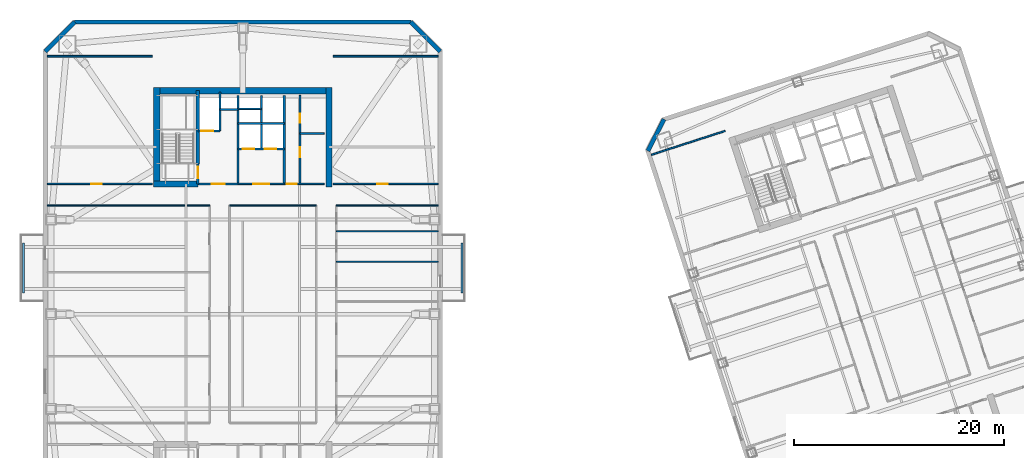
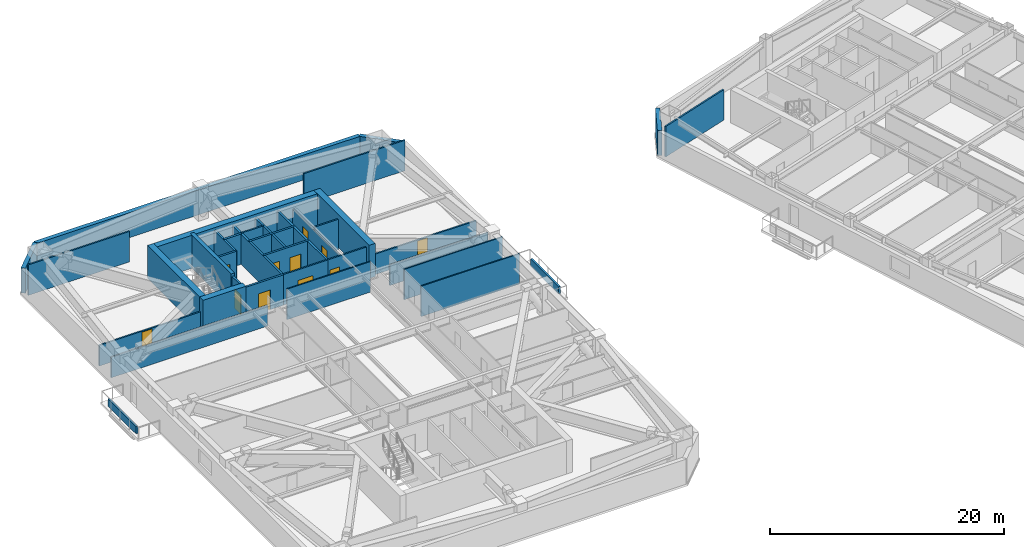
# One storey, part 8 of 17: 36 walls, 11 doors, 11 openings.
"""IFC4 building model written with IfcOpenShell, lengths in metres."""

from ifc_helpers import new_model, si_unit, direction, frame, frame_2d, origin, place, context, subcontext, project, spatial, rectangle, extrude, material, layer, layer_set, type_object, element, fill, save


model = new_model("IFC4")

# Units and contexts
model_context = context("Model", 3, precision=1e-05, world=origin(), true_north=direction((0.0, 1.0)))
body_context = subcontext(model_context, "Body", "Model", "MODEL_VIEW")
ifc_project = project(units=[si_unit("LENGTHUNIT", "METRE"), si_unit("AREAUNIT", "SQUARE_METRE"), si_unit("VOLUMEUNIT", "CUBIC_METRE"), si_unit("PLANEANGLEUNIT", "RADIAN"), si_unit("MASSUNIT", "GRAM", prefix="KILO")], contexts=[model_context])

# Site, building, storey
site_placement = place(None, origin())
site = spatial("IfcSite", under=ifc_project, at=site_placement, CompositionType="ELEMENT")
building_placement = place(site_placement, origin())
building = spatial("IfcBuilding", under=site, at=building_placement, Name="Qiaolan Cultural Towers", CompositionType="ELEMENT")
storey_placement = place(building_placement, frame((0.0, 0.0, 156.39990234375)))
storey = spatial("IfcBuildingStorey", under=building, at=storey_placement, Name="L41", CompositionType="ELEMENT", Elevation=156.39990234375)

# Walls
ifc_material_1 = material(Name="Concrete C50", Category="concrete")
ifc_layer_1 = layer(ifc_material_1, 0.35009765625)
ifc_layer_set_1 = layer_set([ifc_layer_1], Name="Concrete C50")
wall_type_1 = type_object("IfcWallType", Name="WL-CORE-350", PredefinedType="SHEAR", material=ifc_layer_set_1)
wall_1_placement = place(storey_placement, frame((25.719970703125, 48.300048828125, 0.0), z_axis=(0.0, 0.0, 1.0), x_axis=(0.0, 1.0, 0.0)))
element("IfcWall", 1, at=wall_1_placement, inside=storey, type_object=wall_type_1, Name="L41 T1-CN Stair Core Dividing Web", PredefinedType="SHEAR", context=body_context, shape_type="SweptSolid", body=[
    extrude(rectangle(XDim=6.97998046875, YDim=0.35009765625, at=frame_2d((3.489990234375, 0.0))), origin(), (0.0, 0.0, 1.0), 3.4501953125),
])
ifc_material_2 = material(Name="Concrete C55", Category="concrete")
ifc_layer_2 = layer(ifc_material_2, 0.60009765625)
ifc_layer_set_2 = layer_set([ifc_layer_2], Name="Concrete C55")
wall_type_2 = type_object("IfcWallType", Name="WL-CORE-600", PredefinedType="SHEAR", material=ifc_layer_set_2)
wall_2_placement = place(storey_placement, frame((21.5, 55.280029296875, 0.0), z_axis=(0.0, 0.0, 1.0), x_axis=(1.0, 0.0, 0.0)))
element("IfcWall", 2, at=wall_2_placement, inside=storey, type_object=wall_type_2, Name="L41 T1-CN Outer Core Shear Wall", PredefinedType="SHEAR", context=body_context, shape_type="SweptSolid", body=[
    extrude(rectangle(XDim=17.0, YDim=0.60009765625, at=frame_2d((8.5, 0.0))), origin(), (0.0, 0.0, 1.0), 3.4501953125),
])
for number, where, z_axis, x_axis, name in (
    (3, (21.800048828125, 46.10009765625, 0.0), (0.0, 0.0, 1.0), (0.0, 1.0, 0.0), "L41 T1-CN West Core Shear Wall"),
    (4, (38.199951171875, 46.10009765625, 0.0), (0.0, 0.0, 1.0), (0.0, 1.0, 0.0), "L41 T1-CN East Core Shear Wall"),
):
    element("IfcWall", number, at=place(storey_placement, frame(where, z_axis=z_axis, x_axis=x_axis)), inside=storey, type_object=wall_type_2, Name=name, PredefinedType="SHEAR", context=body_context, shape_type="SweptSolid", body=[
        extrude(rectangle(XDim=9.47998046875, YDim=0.60009765625, at=frame_2d((4.739990234375, 0.0))), origin(), (0.0, 0.0, 1.0), 3.4501953125),
    ])
wall_3_placement = place(storey_placement, frame((21.5, 46.39990234375, 0.0), z_axis=(0.0, 0.0, 1.0), x_axis=(1.0, 0.0, 0.0)))
element("IfcWall", 5, at=wall_3_placement, inside=storey, type_object=wall_type_2, Name="L41 T1-CN Stair Front Shear Wall", PredefinedType="SHEAR", context=body_context, shape_type="SweptSolid", body=[
    extrude(rectangle(XDim=4.219970703125, YDim=0.60009765625, at=frame_2d((2.10986328125, 0.0))), origin(), (0.0, 0.0, 1.0), 3.4501953125),
])
ifc_material_3 = material(Name="Precast Concrete C50 Honed Stone Pier", Category="masonry")
ifc_layer_3 = layer(ifc_material_3, 0.39990234375)
ifc_layer_set_3 = layer_set([ifc_layer_3], Name="Precast Concrete C50 Honed Stone Pier")
wall_type_3 = type_object("IfcWallType", Name="WL-EXT-PIER-400", PredefinedType="SOLIDWALL", material=ifc_layer_set_3)
wall_4_placement = place(storey_placement, frame((11.199951171875, 59.0, 0.0), z_axis=(0.0, 0.0, 1.0), x_axis=(0.707106781187, 0.707106781187, 0.0)))
element("IfcWall", 6, at=wall_4_placement, inside=storey, type_object=wall_type_3, Name="L41 West Tower Precast Pier Facade Wall F2", PredefinedType="SOLIDWALL", context=body_context, shape_type="SweptSolid", body=[
    extrude(rectangle(XDim=3.9599609375, YDim=0.39990234375, at=frame_2d((1.97998046875, 0.0))), origin(), (0.0, 0.0, 1.0), 2.610107421875),
])
wall_5_placement = place(storey_placement, frame((14.0, 61.800048828125, 0.0), z_axis=(0.0, 0.0, 1.0), x_axis=(1.0, 0.0, 0.0)))
element("IfcWall", 7, at=wall_5_placement, inside=storey, type_object=wall_type_3, Name="L41 West Tower Precast Pier Facade Wall F3", PredefinedType="SOLIDWALL", context=body_context, shape_type="SweptSolid", body=[
    extrude(rectangle(XDim=32.0, YDim=0.39990234375, at=frame_2d((16.0, 0.0))), origin(), (0.0, 0.0, 1.0), 2.610107421875),
])
wall_6_placement = place(storey_placement, frame((46.0, 61.800048828125, 0.0), z_axis=(0.0, 0.0, 1.0), x_axis=(0.707106781187, -0.707106781187, 0.0)))
element("IfcWall", 8, at=wall_6_placement, inside=storey, type_object=wall_type_3, Name="L41 West Tower Precast Pier Facade Wall F4", PredefinedType="SOLIDWALL", context=body_context, shape_type="SweptSolid", body=[
    extrude(rectangle(XDim=3.9599609375, YDim=0.39990234375, at=frame_2d((1.97998046875, 0.0))), origin(), (0.0, 0.0, 1.0), 2.610107421875),
])
wall_7_placement = place(storey_placement, frame((68.550537109375, 49.531982421875, 0.0), z_axis=(0.0, 0.0, 1.0), x_axis=(0.454019523198, 0.890991735402, 0.0)))
element("IfcWall", 9, at=wall_7_placement, inside=storey, type_object=wall_type_3, Name="L41 East Tower Precast Pier Facade Wall F2", PredefinedType="SOLIDWALL", context=body_context, shape_type="SweptSolid", body=[
    extrude(rectangle(XDim=3.39404296875, YDim=0.39990234375, at=frame_2d((1.697021484375, 0.0))), origin(), (0.0, 0.0, 1.0), 2.610107421875),
])

# Wall, opening, door
ifc_material_4 = material(Name="Concrete C35 Fire Wall", Category="concrete")
ifc_layer_4 = layer(ifc_material_4, 0.199951171875)
ifc_layer_set_4 = layer_set([ifc_layer_4], Name="Concrete C35 Fire Wall")
wall_type_4 = type_object("IfcWallType", Name="WL-FIRE-200", PredefinedType="PARTITIONING", material=ifc_layer_set_4)
wall_8_placement = place(storey_placement, frame((25.719970703125, 46.39990234375, 0.0), z_axis=(0.0, 0.0, 1.0), x_axis=(0.0, 1.0, 0.0)))
wall_8 = element("IfcWall", 10, at=wall_8_placement, inside=storey, type_object=wall_type_4, Name="L41 T1-CN Smokeproof Stair Entry Wall", PredefinedType="PARTITIONING", context=body_context, shape_type="SweptSolid", body=[
    extrude(rectangle(XDim=1.900146484375, YDim=0.199951171875, at=frame_2d((0.9501953125, 0.0))), origin(), (0.0, 0.0, 1.0), 3.175048828125),
])
opening_1_placement = place(wall_8_placement, frame((0.52001953125, 0.0, 0.0)))
opening_1 = element("IfcOpeningElement", 11, at=opening_1_placement, cuts=wall_8, Name="Opening FD-04", PredefinedType="OPENING", context=body_context, shape_type="SweptSolid", body=[
    extrude(rectangle(XDim=1.10009765625, YDim=2.050048828125, at=frame_2d((0.550048828125, 1.02490234375))), frame((0.0, 0.10986328125, 0.0), z_axis=(0.0, -1.0, 0.0), x_axis=(1.0, 0.0, 0.0)), (0.0, 0.0, 1.0), 0.219970703125),
])
ifc_material_5 = material(Name="Galvanized Steel Command Fire Door", Category="steel")
door_type_1 = type_object("IfcDoorType", Name="DR-FD90-1100", OperationType="NOTDEFINED", PredefinedType="DOOR", material=ifc_material_5)
door_1_placement = place(opening_1_placement, origin())
door_1 = element("IfcDoor", 12, at=door_1_placement, inside=storey, type_object=door_type_1, Name="L41 ST-W2 Smokeproof Stair Fire Door", OperationType="SINGLE_SWING_LEFT", OverallHeight=2.050048828125, OverallWidth=1.10009765625, PredefinedType="DOOR", context=body_context, shape_type="SweptSolid", body=[
    extrude(rectangle(XDim=1.10009765625, YDim=2.050048828125, at=frame_2d((0.550048828125, 1.02490234375))), frame((0.0, 0.02490234375, 0.0), z_axis=(0.0, -1.0, 0.0), x_axis=(1.0, 0.0, 0.0)), (0.0, 0.0, 1.0), 0.050048828125),
])
fill(opening_1, door_1)

# Wall
wall_9_placement = place(storey_placement, frame((29.550048828125, 46.39990234375, 0.0), z_axis=(0.0, 0.0, 1.0), x_axis=(0.0, 1.0, 0.0)))
element("IfcWall", 13, at=wall_9_placement, inside=storey, type_object=wall_type_4, Name="L41 T1-CN Firefighting Zone Wall", PredefinedType="PARTITIONING", context=body_context, shape_type="SweptSolid", body=[
    extrude(rectangle(XDim=8.43017578125, YDim=0.199951171875, at=frame_2d((4.215087890625, 0.0))), origin(), (0.0, 0.0, 1.0), 3.175048828125),
])

# Wall, opening, door
wall_10_placement = place(storey_placement, frame((25.719970703125, 46.39990234375, 0.0), z_axis=(0.0, 0.0, 1.0), x_axis=(1.0, 0.0, 0.0)))
wall_10 = element("IfcWall", 14, at=wall_10_placement, inside=storey, type_object=wall_type_4, Name="L41 T1-CN Firefighting Lobby Front Wall", PredefinedType="PARTITIONING", context=body_context, shape_type="SweptSolid", body=[
    extrude(rectangle(XDim=3.830078125, YDim=0.199951171875, at=frame_2d((1.9150390625, 0.0))), origin(), (0.0, 0.0, 1.0), 3.175048828125),
])
opening_2_placement = place(wall_10_placement, frame((1.35009765625, 0.0, 0.0)))
opening_2 = element("IfcOpeningElement", 15, at=opening_2_placement, cuts=wall_10, Name="Opening FD-03", PredefinedType="OPENING", context=body_context, shape_type="SweptSolid", body=[
    extrude(rectangle(XDim=1.199951171875, YDim=2.050048828125, at=frame_2d((0.60009765625, 1.02490234375))), frame((0.0, 0.10986328125, 0.0), z_axis=(0.0, -1.0, 0.0), x_axis=(1.0, 0.0, 0.0)), (0.0, 0.0, 1.0), 0.219970703125),
])
ifc_material_6 = material(Name="Galvanized Steel Smokeproof Lobby Fire Door", Category="steel")
door_type_2 = type_object("IfcDoorType", Name="DR-FD90-1200", OperationType="NOTDEFINED", PredefinedType="DOOR", material=ifc_material_6)
door_2_placement = place(opening_2_placement, origin())
door_2 = element("IfcDoor", 16, at=door_2_placement, inside=storey, type_object=door_type_2, Name="L41 FFL-W2 Firefighting Lobby Fire Door", OperationType="SINGLE_SWING_LEFT", OverallHeight=2.050048828125, OverallWidth=1.199951171875, PredefinedType="DOOR", context=body_context, shape_type="SweptSolid", body=[
    extrude(rectangle(XDim=1.199951171875, YDim=2.050048828125, at=frame_2d((0.60009765625, 1.02490234375))), frame((0.0, 0.02490234375, 0.0), z_axis=(0.0, -1.0, 0.0), x_axis=(1.0, 0.0, 0.0)), (0.0, 0.0, 1.0), 0.050048828125),
])
fill(opening_2, door_2)

wall_11_placement = place(storey_placement, frame((25.719970703125, 51.449951171875, 0.0), z_axis=(0.0, 0.0, 1.0), x_axis=(1.0, 0.0, 0.0)))
wall_11 = element("IfcWall", 17, at=wall_11_placement, inside=storey, type_object=wall_type_4, Name="L41 T1-CN Firefighting Shaft Front Wall", PredefinedType="PARTITIONING", context=body_context, shape_type="SweptSolid", body=[
    extrude(rectangle(XDim=2.10009765625, YDim=0.199951171875, at=frame_2d((1.050048828125, 0.0))), origin(), (0.0, 0.0, 1.0), 3.175048828125),
])
opening_3_placement = place(wall_11_placement, frame((0.35009765625, 0.0, 0.0)))
opening_3 = element("IfcOpeningElement", 18, at=opening_3_placement, cuts=wall_11, Name="Opening LD-01", PredefinedType="OPENING", context=body_context, shape_type="SweptSolid", body=[
    extrude(rectangle(XDim=1.10009765625, YDim=2.050048828125, at=frame_2d((0.550048828125, 1.02490234375))), frame((0.0, 0.10986328125, 0.0), z_axis=(0.0, -1.0, 0.0), x_axis=(1.0, 0.0, 0.0)), (0.0, 0.0, 1.0), 0.219970703125),
])
ifc_material_7 = material(Name="Brushed Stainless Steel S30408 Centre-Parting Lift Landing Door", Category="steel")
door_type_3 = type_object("IfcDoorType", Name="DR-LIFT-1100", OperationType="NOTDEFINED", PredefinedType="DOOR", material=ifc_material_7)
door_3_placement = place(opening_3_placement, origin())
door_3 = element("IfcDoor", 19, at=door_3_placement, inside=storey, type_object=door_type_3, Name="L41 FFL-W2 Firefighting Lift Landing Door", OperationType="DOUBLE_DOOR_SLIDING", OverallHeight=2.050048828125, OverallWidth=1.10009765625, PredefinedType="DOOR", context=body_context, shape_type="SweptSolid", body=[
    extrude(rectangle(XDim=1.10009765625, YDim=2.050048828125, at=frame_2d((0.550048828125, 1.02490234375))), frame((0.0, 0.02490234375, 0.0), z_axis=(0.0, -1.0, 0.0), x_axis=(1.0, 0.0, 0.0)), (0.0, 0.0, 1.0), 0.050048828125),
])
fill(opening_3, door_3)

# Walls
wall_12_placement = place(storey_placement, frame((27.820068359375, 51.449951171875, 0.0), z_axis=(0.0, 0.0, 1.0), x_axis=(0.0, 1.0, 0.0)))
element("IfcWall", 20, at=wall_12_placement, inside=storey, type_object=wall_type_4, Name="L41 T1-CN Firefighting Hoistway East Wall", PredefinedType="PARTITIONING", context=body_context, shape_type="SweptSolid", body=[
    extrude(rectangle(XDim=3.699951171875, YDim=0.199951171875, at=frame_2d((1.85009765625, 0.0))), origin(), (0.0, 0.0, 1.0), 3.175048828125),
])
wall_13_placement = place(storey_placement, frame((27.820068359375, 53.47998046875, 0.0), z_axis=(0.0, 0.0, 1.0), x_axis=(1.0, 0.0, 0.0)))
element("IfcWall", 21, at=wall_13_placement, inside=storey, type_object=wall_type_4, Name="L41 T1-CN Pressurization Shaft Front Wall", PredefinedType="PARTITIONING", context=body_context, shape_type="SweptSolid", body=[
    extrude(rectangle(XDim=1.72998046875, YDim=0.199951171875, at=frame_2d((0.864990234375, 0.0))), origin(), (0.0, 0.0, 1.0), 3.175048828125),
])
wall_14_placement = place(storey_placement, frame((33.949951171875, 46.39990234375, 0.0), z_axis=(0.0, 0.0, 1.0), x_axis=(0.0, 1.0, 0.0)))
element("IfcWall", 22, at=wall_14_placement, inside=storey, type_object=wall_type_4, Name="L41 T1-CN Lift Core East Wall", PredefinedType="PARTITIONING", context=body_context, shape_type="SweptSolid", body=[
    extrude(rectangle(XDim=8.43017578125, YDim=0.199951171875, at=frame_2d((4.215087890625, 0.0))), origin(), (0.0, 0.0, 1.0), 3.175048828125),
])

# Wall, openings, doors
wall_15_placement = place(storey_placement, frame((29.550048828125, 49.719970703125, 0.0), z_axis=(0.0, 0.0, 1.0), x_axis=(1.0, 0.0, 0.0)))
wall_15 = element("IfcWall", 23, at=wall_15_placement, inside=storey, type_object=wall_type_4, Name="L41 T1-CN Passenger Lift Shaft Front Wall", PredefinedType="PARTITIONING", context=body_context, shape_type="SweptSolid", body=[
    extrude(rectangle(XDim=4.39990234375, YDim=0.199951171875, at=frame_2d((2.199951171875, 0.0))), origin(), (0.0, 0.0, 1.0), 3.175048828125),
])
opening_4_placement = place(wall_15_placement, frame((0.449951171875, 0.0, 0.0)))
opening_4 = element("IfcOpeningElement", 24, at=opening_4_placement, cuts=wall_15, Name="Opening LD-01", PredefinedType="OPENING", context=body_context, shape_type="SweptSolid", body=[
    extrude(rectangle(XDim=1.10009765625, YDim=2.050048828125, at=frame_2d((0.550048828125, 1.02490234375))), frame((0.0, 0.10986328125, 0.0), z_axis=(0.0, -1.0, 0.0), x_axis=(1.0, 0.0, 0.0)), (0.0, 0.0, 1.0), 0.219970703125),
])
opening_5_placement = place(wall_15_placement, frame((2.550048828125, 0.0, 0.0)))
opening_5 = element("IfcOpeningElement", 25, at=opening_5_placement, cuts=wall_15, Name="Opening LD-01", PredefinedType="OPENING", context=body_context, shape_type="SweptSolid", body=[
    extrude(rectangle(XDim=1.10009765625, YDim=2.050048828125, at=frame_2d((0.550048828125, 1.02490234375))), frame((0.0, 0.10986328125, 0.0), z_axis=(0.0, -1.0, 0.0), x_axis=(1.0, 0.0, 0.0)), (0.0, 0.0, 1.0), 0.219970703125),
])
door_4_placement = place(opening_4_placement, origin())
door_4 = element("IfcDoor", 26, at=door_4_placement, inside=storey, type_object=door_type_3, Name="L41 Passenger Lift 1 Landing Door", OperationType="DOUBLE_DOOR_SLIDING", OverallHeight=2.050048828125, OverallWidth=1.10009765625, PredefinedType="DOOR", context=body_context, shape_type="SweptSolid", body=[
    extrude(rectangle(XDim=1.10009765625, YDim=2.050048828125, at=frame_2d((0.550048828125, 1.02490234375))), frame((0.0, 0.02490234375, 0.0), z_axis=(0.0, -1.0, 0.0), x_axis=(1.0, 0.0, 0.0)), (0.0, 0.0, 1.0), 0.050048828125),
])
fill(opening_4, door_4)
door_5_placement = place(opening_5_placement, origin())
door_5 = element("IfcDoor", 27, at=door_5_placement, inside=storey, type_object=door_type_3, Name="L41 Passenger Lift 2 Landing Door", OperationType="DOUBLE_DOOR_SLIDING", OverallHeight=2.050048828125, OverallWidth=1.10009765625, PredefinedType="DOOR", context=body_context, shape_type="SweptSolid", body=[
    extrude(rectangle(XDim=1.10009765625, YDim=2.050048828125, at=frame_2d((0.550048828125, 1.02490234375))), frame((0.0, 0.02490234375, 0.0), z_axis=(0.0, -1.0, 0.0), x_axis=(1.0, 0.0, 0.0)), (0.0, 0.0, 1.0), 0.050048828125),
])
fill(opening_5, door_5)

# Walls
wall_16_placement = place(storey_placement, frame((31.780029296875, 49.719970703125, 0.0), z_axis=(0.0, 0.0, 1.0), x_axis=(0.0, 1.0, 0.0)))
element("IfcWall", 28, at=wall_16_placement, inside=storey, type_object=wall_type_4, Name="L41 T1-CN Lift Shaft Divider Wall", PredefinedType="PARTITIONING", context=body_context, shape_type="SweptSolid", body=[
    extrude(rectangle(XDim=5.110107421875, YDim=0.199951171875, at=frame_2d((2.55517578125, 0.0))), origin(), (0.0, 0.0, 1.0), 3.175048828125),
])
wall_17_placement = place(storey_placement, frame((29.550048828125, 52.14990234375, 0.0), z_axis=(0.0, 0.0, 1.0), x_axis=(1.0, 0.0, 0.0)))
element("IfcWall", 29, at=wall_17_placement, inside=storey, type_object=wall_type_4, Name="L41 T1-CN Passenger Lift Shaft Back Wall", PredefinedType="PARTITIONING", context=body_context, shape_type="SweptSolid", body=[
    extrude(rectangle(XDim=4.39990234375, YDim=0.199951171875, at=frame_2d((2.199951171875, 0.0))), origin(), (0.0, 0.0, 1.0), 3.175048828125),
])
ifc_material_8 = material(Name="Gypsum Stud Acoustic Partition", Category="gypsum")
ifc_layer_5 = layer(ifc_material_8, 0.1201171875)
ifc_layer_set_5 = layer_set([ifc_layer_5], Name="Gypsum Stud Acoustic Partition")
wall_type_5 = type_object("IfcWallType", Name="WL-PART-120", PredefinedType="PARTITIONING", material=ifc_layer_set_5)
wall_18_placement = place(storey_placement, frame((11.39990234375, 44.35009765625, 0.0), z_axis=(0.0, 0.0, 1.0), x_axis=(1.0, 0.0, 0.0)))
element("IfcWall", 30, at=wall_18_placement, inside=storey, type_object=wall_type_5, Name="L41 T1 Interior Wall", PredefinedType="PARTITIONING", context=body_context, shape_type="SweptSolid", body=[
    extrude(rectangle(XDim=15.4501953125, YDim=0.1201171875, at=frame_2d((7.72509765625, 0.0))), origin(), (0.0, 0.0, 1.0), 2.150146484375),
])
wall_19_placement = place(storey_placement, frame((28.75, 44.35009765625, 0.0), z_axis=(0.0, 0.0, 1.0), x_axis=(1.0, 0.0, 0.0)))
element("IfcWall", 31, at=wall_19_placement, inside=storey, type_object=wall_type_5, Name="L41 T1 Interior Wall", PredefinedType="PARTITIONING", context=body_context, shape_type="SweptSolid", body=[
    extrude(rectangle(XDim=8.25, YDim=0.1201171875, at=frame_2d((4.125, 0.0))), origin(), (0.0, 0.0, 1.0), 3.175048828125),
])
wall_20_placement = place(storey_placement, frame((38.89990234375, 44.35009765625, 0.0), z_axis=(0.0, 0.0, 1.0), x_axis=(1.0, 0.0, 0.0)))
element("IfcWall", 32, at=wall_20_placement, inside=storey, type_object=wall_type_5, Name="L41 T1 Interior Wall", PredefinedType="PARTITIONING", context=body_context, shape_type="SweptSolid", body=[
    extrude(rectangle(XDim=9.7001953125, YDim=0.1201171875, at=frame_2d((4.85009765625, 0.0))), origin(), (0.0, 0.0, 1.0), 2.150146484375),
])
for number, where, z_axis, x_axis, name in (
    (33, (38.89990234375, 39.0, 0.0), (0.0, 0.0, 1.0), (1.0, 0.0, 0.0), "L41 T1 Interior Wall"),
    (34, (38.89990234375, 41.89794921875, 0.0), (0.0, 0.0, 1.0), (1.0, 0.0, 0.0), "L41 T1 Interior Wall"),
):
    element("IfcWall", number, at=place(storey_placement, frame(where, z_axis=z_axis, x_axis=x_axis)), inside=storey, type_object=wall_type_5, Name=name, PredefinedType="PARTITIONING", context=body_context, shape_type="SweptSolid", body=[
        extrude(rectangle(XDim=9.7001953125, YDim=0.1201171875, at=frame_2d((4.85009765625, 0.0))), origin(), (0.0, 0.0, 1.0), 3.175048828125),
    ])

# Wall, opening, door
ifc_material_9 = material(Name="Autoclaved Aerated Concrete Block B06", Category="concrete")
ifc_layer_6 = layer(ifc_material_9, 0.14990234375)
ifc_layer_set_6 = layer_set([ifc_layer_6], Name="Autoclaved Aerated Concrete Block B06")
wall_type_6 = type_object("IfcWallType", Name="WL-PART-150", PredefinedType="PARTITIONING", material=ifc_layer_set_6)
wall_21_placement = place(storey_placement, frame((29.550048828125, 46.39990234375, 0.0), z_axis=(0.0, 0.0, 1.0), x_axis=(1.0, 0.0, 0.0)))
wall_21 = element("IfcWall", 35, at=wall_21_placement, inside=storey, type_object=wall_type_6, Name="L41 T1-CN Passenger Lift Lobby Front Wall", PredefinedType="PARTITIONING", context=body_context, shape_type="SweptSolid", body=[
    extrude(rectangle(XDim=4.39990234375, YDim=0.14990234375, at=frame_2d((2.199951171875, 0.0))), origin(), (0.0, 0.0, 1.0), 3.175048828125),
])
opening_6_placement = place(wall_21_placement, frame((1.449951171875, 0.0, 0.0)))
opening_6 = element("IfcOpeningElement", 36, at=opening_6_placement, cuts=wall_21, Name="Opening FD-05", PredefinedType="OPENING", context=body_context, shape_type="SweptSolid", body=[
    extrude(rectangle(XDim=1.5, YDim=2.050048828125, at=frame_2d((0.75, 1.02490234375))), frame((0.0, 0.0849609375, 0.0), z_axis=(0.0, -1.0, 0.0), x_axis=(1.0, 0.0, 0.0)), (0.0, 0.0, 1.0), 0.169921875),
])
ifc_material_10 = material(Name="Painted Steel Lift Lobby Fire Door", Category="steel")
door_type_4 = type_object("IfcDoorType", Name="DR-FD60-1500", OperationType="NOTDEFINED", PredefinedType="DOOR", material=ifc_material_10)
door_6_placement = place(opening_6_placement, origin())
door_6 = element("IfcDoor", 37, at=door_6_placement, inside=storey, type_object=door_type_4, Name="L41 Passenger Lift Lobby Entrance", OperationType="SINGLE_SWING_LEFT", OverallHeight=2.050048828125, OverallWidth=1.5, PredefinedType="DOOR", context=body_context, shape_type="SweptSolid", body=[
    extrude(rectangle(XDim=1.5, YDim=2.050048828125, at=frame_2d((0.75, 1.02490234375))), frame((0.0, 0.02490234375, 0.0), z_axis=(0.0, -1.0, 0.0), x_axis=(1.0, 0.0, 0.0)), (0.0, 0.0, 1.0), 0.050048828125),
])
fill(opening_6, door_6)

# Wall
wall_22_placement = place(storey_placement, frame((29.550048828125, 53.550048828125, 0.0), z_axis=(0.0, 0.0, 1.0), x_axis=(1.0, 0.0, 0.0)))
element("IfcWall", 38, at=wall_22_placement, inside=storey, type_object=wall_type_6, Name="L41 T1-CN Core Rear Riser Split", PredefinedType="PARTITIONING", context=body_context, shape_type="SweptSolid", body=[
    extrude(rectangle(XDim=2.22998046875, YDim=0.14990234375, at=frame_2d((1.114990234375, 0.0))), origin(), (0.0, 0.0, 1.0), 3.175048828125),
])

# Wall, opening, door
wall_23_placement = place(storey_placement, frame((33.949951171875, 46.39990234375, 0.0), z_axis=(0.0, 0.0, 1.0), x_axis=(1.0, 0.0, 0.0)))
wall_23 = element("IfcWall", 39, at=wall_23_placement, inside=storey, type_object=wall_type_6, Name="L41 T1-CN Sanitary Core Front Wall", PredefinedType="PARTITIONING", context=body_context, shape_type="SweptSolid", body=[
    extrude(rectangle(XDim=3.800048828125, YDim=0.14990234375, at=frame_2d((1.89990234375, 0.0))), origin(), (0.0, 0.0, 1.0), 3.175048828125),
])
opening_7_placement = place(wall_23_placement, frame((0.219970703125, 0.0, 0.0)))
opening_7 = element("IfcOpeningElement", 40, at=opening_7_placement, cuts=wall_23, Name="Opening ID-05", PredefinedType="OPENING", context=body_context, shape_type="SweptSolid", body=[
    extrude(rectangle(XDim=0.949951171875, YDim=2.050048828125, at=frame_2d((0.47509765625, 1.02490234375))), frame((0.0, 0.0849609375, 0.0), z_axis=(0.0, -1.0, 0.0), x_axis=(1.0, 0.0, 0.0)), (0.0, 0.0, 1.0), 0.169921875),
])
ifc_material_11 = material(Name="Fire-Rated Laminate Accessible Core Door", Category="timber")
door_type_5 = type_object("IfcDoorType", Name="DR-INT-950", OperationType="NOTDEFINED", PredefinedType="DOOR", material=ifc_material_11)
door_7_placement = place(opening_7_placement, origin())
door_7 = element("IfcDoor", 41, at=door_7_placement, inside=storey, type_object=door_type_5, Name="L41 Sanitary Lobby Door", OperationType="SINGLE_SWING_LEFT", OverallHeight=2.050048828125, OverallWidth=0.949951171875, PredefinedType="DOOR", context=body_context, shape_type="SweptSolid", body=[
    extrude(rectangle(XDim=0.949951171875, YDim=2.050048828125, at=frame_2d((0.47509765625, 1.02490234375))), frame((0.0, 0.02490234375, 0.0), z_axis=(0.0, -1.0, 0.0), x_axis=(1.0, 0.0, 0.0)), (0.0, 0.0, 1.0), 0.050048828125),
])
fill(opening_7, door_7)

# Wall, openings, doors
wall_24_placement = place(storey_placement, frame((35.449951171875, 46.39990234375, 0.0), z_axis=(0.0, 0.0, 1.0), x_axis=(0.0, 1.0, 0.0)))
wall_24 = element("IfcWall", 42, at=wall_24_placement, inside=storey, type_object=wall_type_6, Name="L41 T1-CN Washroom Split Wall", PredefinedType="PARTITIONING", context=body_context, shape_type="SweptSolid", body=[
    extrude(rectangle(XDim=8.43017578125, YDim=0.14990234375, at=frame_2d((4.215087890625, 0.0))), origin(), (0.0, 0.0, 1.0), 2.815185546875),
])
opening_8_placement = place(wall_24_placement, frame((2.550048828125, 0.0, 0.0)))
opening_8 = element("IfcOpeningElement", 43, at=opening_8_placement, cuts=wall_24, Name="Opening ID-05", PredefinedType="OPENING", context=body_context, shape_type="SweptSolid", body=[
    extrude(rectangle(XDim=0.949951171875, YDim=2.050048828125, at=frame_2d((0.47509765625, 1.02490234375))), frame((0.0, 0.0849609375, 0.0), z_axis=(0.0, -1.0, 0.0), x_axis=(1.0, 0.0, 0.0)), (0.0, 0.0, 1.0), 0.169921875),
])
opening_9_placement = place(wall_24_placement, frame((5.800048828125, 0.0, 0.0)))
opening_9 = element("IfcOpeningElement", 44, at=opening_9_placement, cuts=wall_24, Name="Opening ID-06", PredefinedType="OPENING", context=body_context, shape_type="SweptSolid", body=[
    extrude(rectangle(XDim=0.89990234375, YDim=2.050048828125, at=frame_2d((0.449951171875, 1.02490234375))), frame((0.0, 0.0849609375, 0.0), z_axis=(0.0, -1.0, 0.0), x_axis=(1.0, 0.0, 0.0)), (0.0, 0.0, 1.0), 0.169921875),
])
ifc_material_12 = material(Name="Fire-Rated Laminate Core Service Door", Category="timber")
door_type_6 = type_object("IfcDoorType", Name="DR-INT-900", OperationType="NOTDEFINED", PredefinedType="DOOR", material=ifc_material_12)
door_8_placement = place(opening_9_placement, origin())
door_8 = element("IfcDoor", 45, at=door_8_placement, inside=storey, type_object=door_type_6, Name="L41 First-Aid Room Door", OperationType="SINGLE_SWING_RIGHT", OverallHeight=2.050048828125, OverallWidth=0.89990234375, PredefinedType="DOOR", context=body_context, shape_type="SweptSolid", body=[
    extrude(rectangle(XDim=0.89990234375, YDim=2.050048828125, at=frame_2d((0.449951171875, 1.02490234375))), frame((0.0, 0.02490234375, 0.0), z_axis=(0.0, -1.0, 0.0), x_axis=(1.0, 0.0, 0.0)), (0.0, 0.0, 1.0), 0.050048828125),
])
fill(opening_9, door_8)
door_9_placement = place(opening_8_placement, origin())
door_9 = element("IfcDoor", 46, at=door_9_placement, inside=storey, type_object=door_type_5, Name="L41 Accessible Washroom Door", OperationType="SINGLE_SWING_LEFT", OverallHeight=2.050048828125, OverallWidth=0.949951171875, PredefinedType="DOOR", context=body_context, shape_type="SweptSolid", body=[
    extrude(rectangle(XDim=0.949951171875, YDim=2.050048828125, at=frame_2d((0.47509765625, 1.02490234375))), frame((0.0, 0.02490234375, 0.0), z_axis=(0.0, -1.0, 0.0), x_axis=(1.0, 0.0, 0.0)), (0.0, 0.0, 1.0), 0.050048828125),
])
fill(opening_8, door_9)

# Walls
wall_25_placement = place(storey_placement, frame((35.449951171875, 51.199951171875, 0.0), z_axis=(0.0, 0.0, 1.0), x_axis=(1.0, 0.0, 0.0)))
element("IfcWall", 47, at=wall_25_placement, inside=storey, type_object=wall_type_6, Name="L41 T1-CN First-Aid Wall", PredefinedType="PARTITIONING", context=body_context, shape_type="SweptSolid", body=[
    extrude(rectangle(XDim=2.300048828125, YDim=0.14990234375, at=frame_2d((1.14990234375, 0.0))), origin(), (0.0, 0.0, 1.0), 3.175048828125),
])
wall_26_placement = place(storey_placement, frame((11.39990234375, 58.550048828125, 0.0), z_axis=(0.0, 0.0, 1.0), x_axis=(1.0, 0.0, 0.0)))
element("IfcWall", 48, at=wall_26_placement, inside=storey, type_object=wall_type_6, Name="L41 T1 Flank Wall FLK-NW", PredefinedType="PARTITIONING", context=body_context, shape_type="SweptSolid", body=[
    extrude(rectangle(XDim=10.0, YDim=0.14990234375, at=frame_2d((5.0, 0.0))), origin(), (0.0, 0.0, 1.0), 3.175048828125),
])

# Wall, opening, door
wall_27_placement = place(storey_placement, frame((11.39990234375, 46.39990234375, 0.0), z_axis=(0.0, 0.0, 1.0), x_axis=(1.0, 0.0, 0.0)))
wall_27 = element("IfcWall", 49, at=wall_27_placement, inside=storey, type_object=wall_type_6, Name="L41 T1 Flank Front FLK-NW", PredefinedType="PARTITIONING", context=body_context, shape_type="SweptSolid", body=[
    extrude(rectangle(XDim=10.0, YDim=0.14990234375, at=frame_2d((5.0, 0.0))), origin(), (0.0, 0.0, 1.0), 2.150146484375),
])
opening_10_placement = place(wall_27_placement, frame((4.199951171875, 0.0, 0.0)))
opening_10 = element("IfcOpeningElement", 50, at=opening_10_placement, cuts=wall_27, Name="Opening ID-04", PredefinedType="OPENING", context=body_context, shape_type="SweptSolid", body=[
    extrude(rectangle(XDim=1.0, YDim=2.050048828125, at=frame_2d((0.5, 1.02490234375))), frame((0.0, 0.0849609375, 0.0), z_axis=(0.0, -1.0, 0.0), x_axis=(1.0, 0.0, 0.0)), (0.0, 0.0, 1.0), 0.169921875),
])
ifc_material_13 = material(Name="Oak Veneer Acoustic Office Door", Category="timber")
door_type_7 = type_object("IfcDoorType", Name="DR-INT-1000", OperationType="NOTDEFINED", PredefinedType="DOOR", material=ifc_material_13)
door_10_placement = place(opening_10_placement, origin())
door_10 = element("IfcDoor", 51, at=door_10_placement, inside=storey, type_object=door_type_7, Name="L41 T1 Corner Studio Door", OperationType="SINGLE_SWING_LEFT", OverallHeight=2.050048828125, OverallWidth=1.0, PredefinedType="DOOR", context=body_context, shape_type="SweptSolid", body=[
    extrude(rectangle(XDim=1.0, YDim=2.050048828125, at=frame_2d((0.5, 1.02490234375))), frame((0.0, 0.02490234375, 0.0), z_axis=(0.0, -1.0, 0.0), x_axis=(1.0, 0.0, 0.0)), (0.0, 0.0, 1.0), 0.050048828125),
])
fill(opening_10, door_10)

# Wall
wall_28_placement = place(storey_placement, frame((38.60009765625, 58.550048828125, 0.0), z_axis=(0.0, 0.0, 1.0), x_axis=(1.0, 0.0, 0.0)))
element("IfcWall", 52, at=wall_28_placement, inside=storey, type_object=wall_type_6, Name="L41 T1 Flank Wall FLK-NE", PredefinedType="PARTITIONING", context=body_context, shape_type="SweptSolid", body=[
    extrude(rectangle(XDim=10.0, YDim=0.14990234375, at=frame_2d((5.0, 0.0))), origin(), (0.0, 0.0, 1.0), 3.175048828125),
])

# Wall, opening, door
wall_29_placement = place(storey_placement, frame((38.60009765625, 46.39990234375, 0.0), z_axis=(0.0, 0.0, 1.0), x_axis=(1.0, 0.0, 0.0)))
wall_29 = element("IfcWall", 53, at=wall_29_placement, inside=storey, type_object=wall_type_6, Name="L41 T1 Flank Front FLK-NE", PredefinedType="PARTITIONING", context=body_context, shape_type="SweptSolid", body=[
    extrude(rectangle(XDim=10.0, YDim=0.14990234375, at=frame_2d((5.0, 0.0))), origin(), (0.0, 0.0, 1.0), 2.150146484375),
])
opening_11_placement = place(wall_29_placement, frame((4.199951171875, 0.0, 0.0)))
opening_11 = element("IfcOpeningElement", 54, at=opening_11_placement, cuts=wall_29, Name="Opening ID-04", PredefinedType="OPENING", context=body_context, shape_type="SweptSolid", body=[
    extrude(rectangle(XDim=1.0, YDim=2.050048828125, at=frame_2d((0.5, 1.02490234375))), frame((0.0, 0.0849609375, 0.0), z_axis=(0.0, -1.0, 0.0), x_axis=(1.0, 0.0, 0.0)), (0.0, 0.0, 1.0), 0.169921875),
])
door_11_placement = place(opening_11_placement, origin())
door_11 = element("IfcDoor", 55, at=door_11_placement, inside=storey, type_object=door_type_7, Name="L41 T1 Corner Studio Door", OperationType="SINGLE_SWING_LEFT", OverallHeight=2.050048828125, OverallWidth=1.0, PredefinedType="DOOR", context=body_context, shape_type="SweptSolid", body=[
    extrude(rectangle(XDim=1.0, YDim=2.050048828125, at=frame_2d((0.5, 1.02490234375))), frame((0.0, 0.02490234375, 0.0), z_axis=(0.0, -1.0, 0.0), x_axis=(1.0, 0.0, 0.0)), (0.0, 0.0, 1.0), 0.050048828125),
])
fill(opening_11, door_11)

# Walls
wall_30_placement = place(storey_placement, frame((68.8798828125, 49.165771484375, 0.0), z_axis=(0.0, 0.0, 1.0), x_axis=(0.951060977215, 0.309003264738, 0.0)))
element("IfcWall", 56, at=wall_30_placement, inside=storey, type_object=wall_type_6, Name="L41 T2 Flank Wall FLK-NW", PredefinedType="PARTITIONING", context=body_context, shape_type="SweptSolid", body=[
    extrude(rectangle(XDim=7.39990234375, YDim=0.14990234375, at=frame_2d((3.699951171875, 0.0))), origin(), (0.0, 0.0, 1.0), 3.175048828125),
])
ifc_material_14 = material(Name="Precast Concrete C45 Tree Planter Upstand", Category="concrete")
ifc_layer_7 = layer(ifc_material_14, 0.199951171875)
ifc_layer_set_7 = layer_set([ifc_layer_7], Name="Precast Concrete C45 Tree Planter Upstand")
wall_type_7 = type_object("IfcWallType", Name="WL-PLANTER-200", PredefinedType="PARAPET", material=ifc_layer_set_7)
for number, where, z_axis, x_axis, name in (
    (57, (9.14990234375, 36.0, 0.0), (0.0, 0.0, 1.0), (0.0, 1.0, 0.0), "L41 T1 Tree Balcony Soil Planter Box W"),
    (58, (50.85009765625, 36.0, 0.0), (0.0, 0.0, 1.0), (0.0, 1.0, 0.0), "L41 T1 Tree Balcony Soil Planter Box E"),
):
    element("IfcWall", number, at=place(storey_placement, frame(where, z_axis=z_axis, x_axis=x_axis)), inside=storey, type_object=wall_type_7, Name=name, PredefinedType="PARAPET", context=body_context, shape_type="SweptSolid", body=[
        extrude(rectangle(XDim=4.800048828125, YDim=0.199951171875, at=frame_2d((2.39990234375, 0.0))), origin(), (0.0, 0.0, 1.0), 0.75),
    ])

save(model, "model.ifc")
